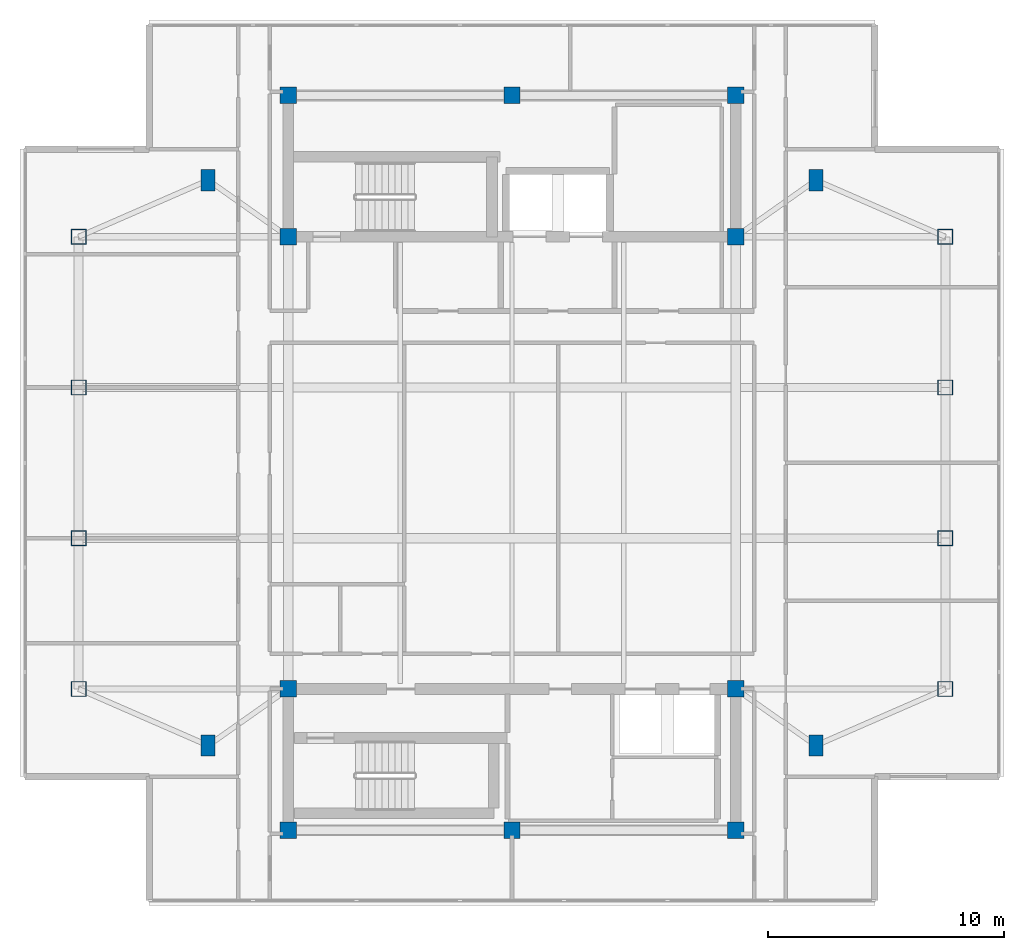
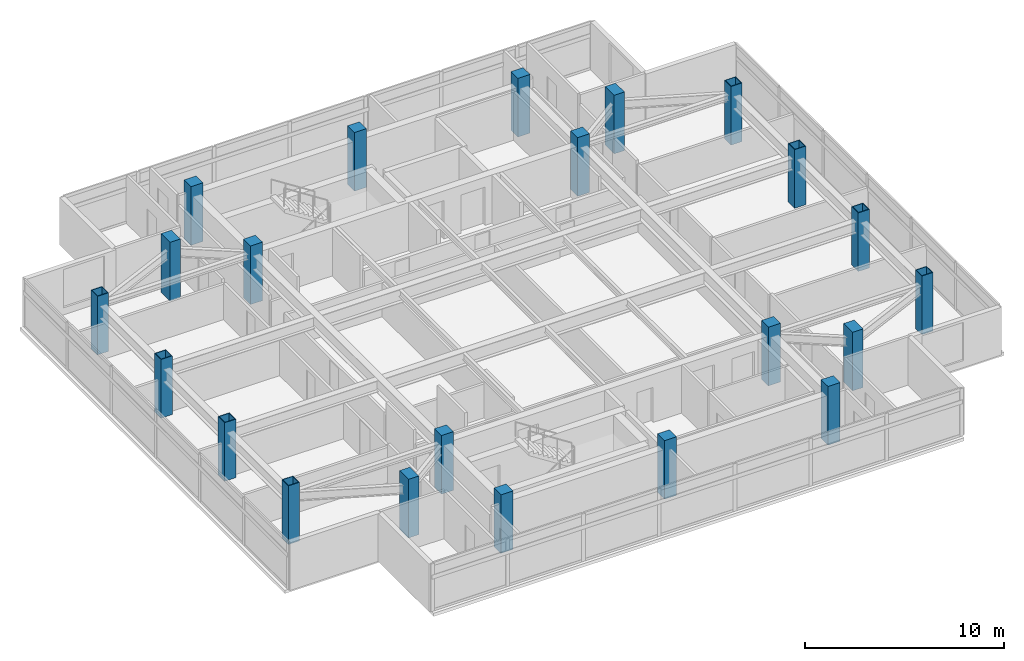
# One storey, part 1 of 11: 22 columns.
"""IFC4 building model written with IfcOpenShell, lengths in metres."""

from ifc_helpers import new_model, si_unit, direction, frame, origin, origin_2d, place, context, subcontext, project, spatial, rectangle, hollow_rectangle, extrude, material, material_profile, profile_set, type_object, element, save


model = new_model("IFC4")

# Units and contexts
model_context = context("Model", 3, precision=1e-05, world=origin(), true_north=direction((0.0, 1.0)))
body_context = subcontext(model_context, "Body", "Model", "MODEL_VIEW")
ifc_project = project(units=[si_unit("LENGTHUNIT", "METRE"), si_unit("AREAUNIT", "SQUARE_METRE"), si_unit("VOLUMEUNIT", "CUBIC_METRE"), si_unit("PLANEANGLEUNIT", "RADIAN"), si_unit("MASSUNIT", "GRAM", prefix="KILO")], contexts=[model_context])

# Site, building, storey
site_placement = place(None, origin())
site = spatial("IfcSite", under=ifc_project, at=site_placement, CompositionType="ELEMENT")
building_placement = place(site_placement, origin())
building = spatial("IfcBuilding", under=site, at=building_placement, Name="Mirazonda Arch Towers", CompositionType="ELEMENT")
storey_placement = place(building_placement, frame((0.0, 0.0, 259.89990234375)))
storey = spatial("IfcBuildingStorey", under=building, at=storey_placement, Name="L74", CompositionType="ELEMENT", Elevation=259.89990234375)

# Columns
ifc_material_1 = material(Name="Concrete C50/60", Category="concrete")
ifc_material_profile_1 = material_profile(ifc_material_1, rectangle(XDim=0.699951171875, YDim=0.699951171875, at=origin_2d()), Name="RC700x700")
ifc_profile_set_1 = profile_set([ifc_material_profile_1], Name="Concrete C50/60")
column_type_1 = type_object("IfcColumnType", Name="COL-INT-RC700x700", PredefinedType="COLUMN", material=ifc_profile_set_1)
for number, where, z_axis, x_axis, name in (
    (1, (11.0, 12.39990234375, 0.0), (0.0, 0.0, 1.0), (1.0, 0.0, 0.0), "L74 T1 Core Column 01"),
    (2, (20.5, 12.39990234375, 0.0), (0.0, 0.0, 1.0), (1.0, 0.0, 0.0), "L74 T1 Core Column 02"),
    (3, (30.0, 12.39990234375, 0.0), (0.0, 0.0, 1.0), (1.0, 0.0, 0.0), "L74 T1 Core Column 03"),
    (4, (11.0, 18.39990234375, 0.0), (0.0, 0.0, 1.0), (1.0, 0.0, 0.0), "L74 T1 Core Column 04"),
    (5, (30.0, 18.39990234375, 0.0), (0.0, 0.0, 1.0), (1.0, 0.0, 0.0), "L74 T1 Core Column 05"),
    (6, (11.0, 37.60009765625, 0.0), (0.0, 0.0, 1.0), (1.0, 0.0, 0.0), "L74 T1 Core Column 06"),
    (7, (30.0, 37.60009765625, 0.0), (0.0, 0.0, 1.0), (1.0, 0.0, 0.0), "L74 T1 Core Column 07"),
    (8, (11.0, 43.60009765625, 0.0), (0.0, 0.0, 1.0), (1.0, 0.0, 0.0), "L74 T1 Core Column 08"),
    (9, (20.5, 43.60009765625, 0.0), (0.0, 0.0, 1.0), (1.0, 0.0, 0.0), "L74 T1 Core Column 09"),
    (10, (30.0, 43.60009765625, 0.0), (0.0, 0.0, 1.0), (1.0, 0.0, 0.0), "L74 T1 Core Column 10"),
):
    element("IfcColumn", number, at=place(storey_placement, frame(where, z_axis=z_axis, x_axis=x_axis)), inside=storey, type_object=column_type_1, Name=name, PredefinedType="COLUMN", context=body_context, shape_type="SweptSolid", body=[
        extrude(rectangle(XDim=0.699951171875, YDim=0.699951171875, at=origin_2d()), origin(), (0.0, 0.0, 1.0), 3.60009765625),
    ])
ifc_material_2 = material(Name="Steel ASTM A572 Grade 50", Category="steel")
ifc_material_profile_2 = material_profile(ifc_material_2, hollow_rectangle(XDim=0.64990234375, YDim=0.64990234375, WallThickness=0.035888671875, at=origin_2d()), Name="BOX650x650x36")
ifc_profile_set_2 = profile_set([ifc_material_profile_2], Name="Steel ASTM A572 Grade 50")
column_type_2 = type_object("IfcColumnType", Name="MCOL-EXT-BOX650x650x36", PredefinedType="COLUMN", material=ifc_profile_set_2)
for number, where, z_axis, x_axis, name in (
    (11, (2.10009765625, 18.39990234375, 0.0), (0.0, 0.0, 1.0), (1.0, 0.0, 0.0), "L74 T1 Composite Mega-Column 01"),
    (12, (2.10009765625, 24.800048828125, 0.0), (0.0, 0.0, 1.0), (1.0, 0.0, 0.0), "L74 T1 Composite Mega-Column 02"),
    (13, (2.10009765625, 31.199951171875, 0.0), (0.0, 0.0, 1.0), (1.0, 0.0, 0.0), "L74 T1 Composite Mega-Column 03"),
    (14, (2.10009765625, 37.60009765625, 0.0), (0.0, 0.0, 1.0), (1.0, 0.0, 0.0), "L74 T1 Composite Mega-Column 04"),
    (15, (38.89990234375, 18.39990234375, 0.0), (0.0, 0.0, 1.0), (1.0, 0.0, 0.0), "L74 T1 Composite Mega-Column 05"),
    (16, (38.89990234375, 24.800048828125, 0.0), (0.0, 0.0, 1.0), (1.0, 0.0, 0.0), "L74 T1 Composite Mega-Column 06"),
    (17, (38.89990234375, 31.199951171875, 0.0), (0.0, 0.0, 1.0), (1.0, 0.0, 0.0), "L74 T1 Composite Mega-Column 07"),
    (18, (38.89990234375, 37.60009765625, 0.0), (0.0, 0.0, 1.0), (1.0, 0.0, 0.0), "L74 T1 Composite Mega-Column 08"),
):
    element("IfcColumn", number, at=place(storey_placement, frame(where, z_axis=z_axis, x_axis=x_axis)), inside=storey, type_object=column_type_2, Name=name, PredefinedType="COLUMN", context=body_context, shape_type="SweptSolid", body=[
        extrude(hollow_rectangle(XDim=0.64990234375, YDim=0.64990234375, WallThickness=0.035888671875, at=origin_2d()), origin(), (0.0, 0.0, 1.0), 3.60009765625),
    ])
ifc_material_profile_3 = material_profile(ifc_material_1, rectangle(XDim=0.60009765625, YDim=0.89990234375, at=origin_2d()), Name="RC900x600")
ifc_profile_set_3 = profile_set([ifc_material_profile_3], Name="Concrete C50/60")
column_type_3 = type_object("IfcColumnType", Name="PIL-EXT-RC900x600", PredefinedType="PILASTER", material=ifc_profile_set_3)
for number, where, z_axis, x_axis, name in (
    (19, (7.60009765625, 16.0, 0.0), (0.0, 0.0, 1.0), (1.0, 0.0, 0.0), "L74 T1 Corner Pilaster 01"),
    (20, (33.39990234375, 16.0, 0.0), (0.0, 0.0, 1.0), (1.0, 0.0, 0.0), "L74 T1 Corner Pilaster 02"),
    (21, (7.60009765625, 40.0, 0.0), (0.0, 0.0, 1.0), (1.0, 0.0, 0.0), "L74 T1 Corner Pilaster 03"),
    (22, (33.39990234375, 40.0, 0.0), (0.0, 0.0, 1.0), (1.0, 0.0, 0.0), "L74 T1 Corner Pilaster 04"),
):
    element("IfcColumn", number, at=place(storey_placement, frame(where, z_axis=z_axis, x_axis=x_axis)), inside=storey, type_object=column_type_3, Name=name, PredefinedType="PILASTER", context=body_context, shape_type="SweptSolid", body=[
        extrude(rectangle(XDim=0.60009765625, YDim=0.89990234375, at=origin_2d()), origin(), (0.0, 0.0, 1.0), 3.60009765625),
    ])

save(model, "model.ifc")
